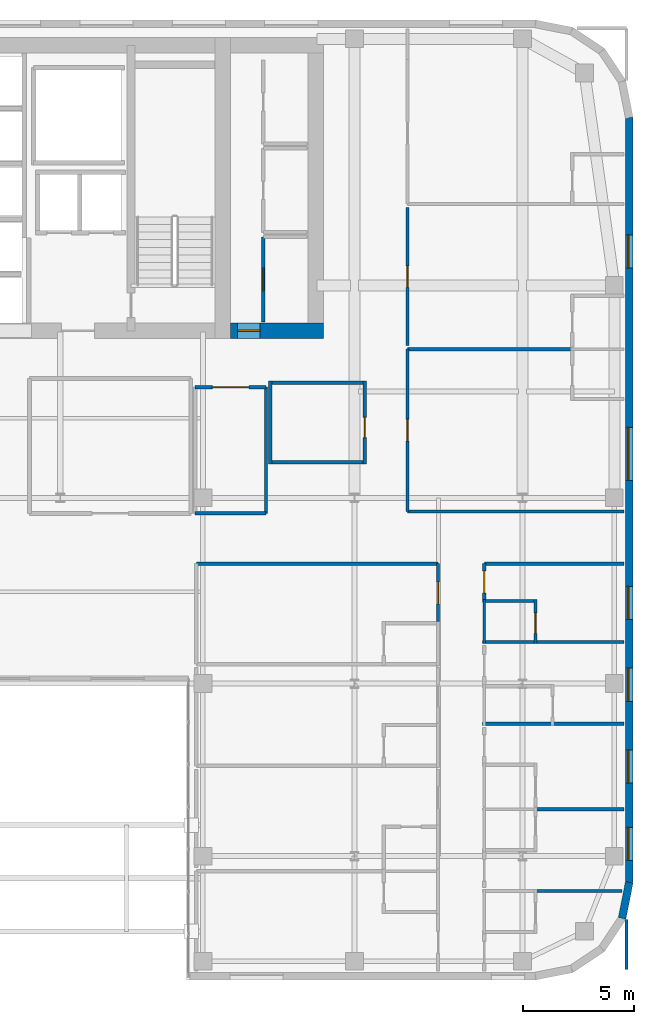
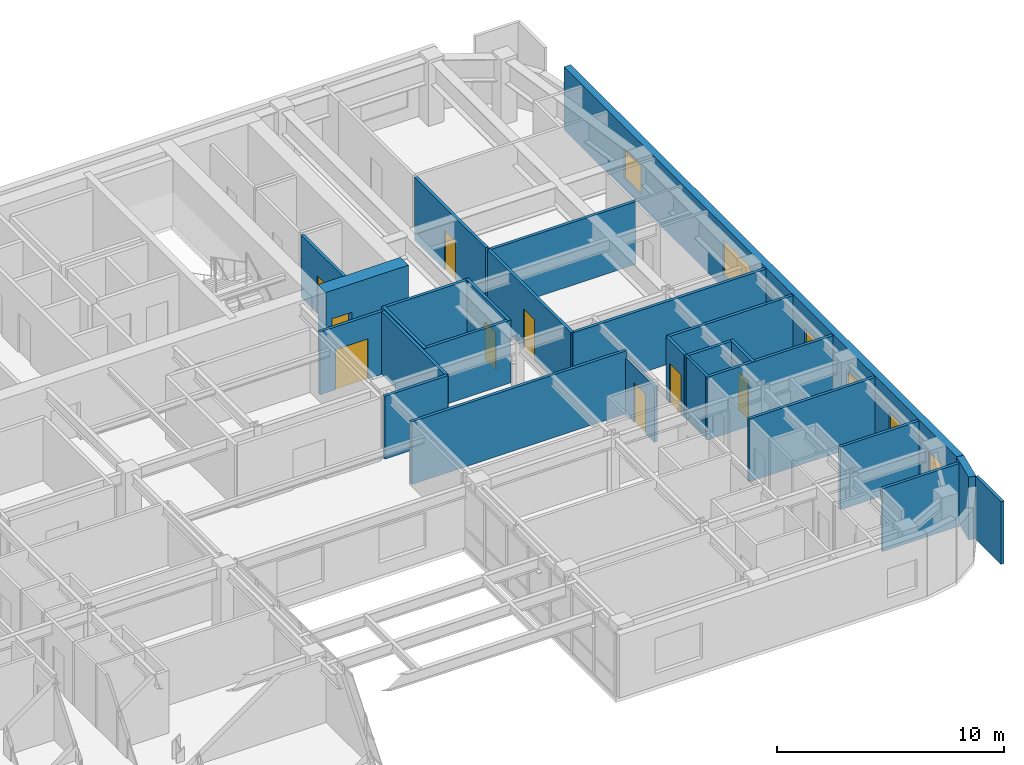
# One storey, part 11 of 15: 27 walls, 9 doors, 6 windows, 15 openings.
"""IFC4 building model written with IfcOpenShell, lengths in metres."""

from ifc_helpers import new_model, si_unit, direction, frame, frame_2d, origin, place, context, subcontext, project, spatial, rectangle, extrude, source, transform, mapped, material, layer, layer_set, type_object, type_shapes, element, fill, save


model = new_model("IFC4")

# Units and contexts
model_context = context("Model", 3, precision=1e-05, world=origin(), true_north=direction((0.0, 1.0)))
body_context = subcontext(model_context, "Body", "Model", "MODEL_VIEW")
ifc_project = project(units=[si_unit("LENGTHUNIT", "METRE"), si_unit("AREAUNIT", "SQUARE_METRE"), si_unit("VOLUMEUNIT", "CUBIC_METRE"), si_unit("PLANEANGLEUNIT", "RADIAN"), si_unit("MASSUNIT", "GRAM", prefix="KILO")], contexts=[model_context])

# Site, building, storey
site_placement = place(None, origin())
site = spatial("IfcSite", under=ifc_project, at=site_placement, CompositionType="ELEMENT")
building_placement = place(site_placement, origin())
building = spatial("IfcBuilding", under=site, at=building_placement, Name="Tolvann Quenvar Hotel", CompositionType="ELEMENT")
storey_placement = place(building_placement, frame((0.0, 0.0, 164.800048828125)))
storey = spatial("IfcBuildingStorey", under=building, at=storey_placement, Name="L43", CompositionType="ELEMENT", Elevation=164.800048828125)

# Wall, opening, door
ifc_material_1 = material(Name="Concrete S65 (65 MPa)", Category="concrete")
ifc_layer_1 = layer(ifc_material_1, 0.699951171875)
ifc_layer_set_1 = layer_set([ifc_layer_1], Name="Concrete S65 (65 MPa)")
wall_type_1 = type_object("IfcWallType", Name="WALL_CORE_700", PredefinedType="SHEAR", material=ifc_layer_set_1)
wall_1_placement = place(storey_placement, frame((36.199951171875, 31.949951171875, 0.0), z_axis=(0.0, 0.0, 1.0), x_axis=(1.0, 0.0, 0.0)))
wall_1 = element("IfcWall", 1, at=wall_1_placement, inside=storey, type_object=wall_type_1, Name="Core East Annex Shear Wall ANN-S (L43)", PredefinedType="SHEAR", context=body_context, shape_type="SweptSolid", body=[
    extrude(rectangle(XDim=4.199951171875, YDim=0.699951171875, at=frame_2d((2.10009765625, 0.0))), origin(), (0.0, 0.0, 1.0), 3.550048828125),
])
opening_1_placement = place(wall_1_placement, frame((1.340087890625, 0.0, 0.0), z_axis=(0.0, 0.0, 1.0), x_axis=(-1.0, 0.0, 0.0)))
opening_1 = element("IfcOpeningElement", 2, at=opening_1_placement, cuts=wall_1, Name="Opening HD-01", PredefinedType="OPENING", context=body_context, shape_type="SweptSolid", body=[
    extrude(rectangle(XDim=1.02001953125, YDim=2.030029296875, at=frame_2d((0.510009765625, 1.01513671875))), frame((0.0, 0.35986328125, 0.0), z_axis=(0.0, -1.0, 0.0), x_axis=(1.0, 0.0, 0.0)), (0.0, 0.0, 1.0), 0.719970703125),
])
ifc_material_2 = material(Name="Pressed galvanised steel fire-rated door set", Category="steel")
door_type_1 = type_object("IfcDoorType", Name="DOOR_BOH_1020", OperationType="NOTDEFINED", PredefinedType="DOOR", material=ifc_material_2)
shared_shape_1 = source(origin(), body_context, "Body", "SweptSolid", [
    extrude(rectangle(XDim=1.02001953125, YDim=2.030029296875, at=frame_2d((0.510009765625, 1.01513671875))), frame((0.0, 0.02490234375, 0.0), z_axis=(0.0, -1.0, 0.0), x_axis=(1.0, 0.0, 0.0)), (0.0, 0.0, 1.0), 0.050048828125),
])
type_shapes(door_type_1, [shared_shape_1])
door_1_placement = place(opening_1_placement, origin())
door_1 = element("IfcDoor", 3, at=door_1_placement, inside=storey, type_object=door_type_1, Name="Housekeeping Annex Fire Door (L43)", OperationType="SINGLE_SWING_RIGHT", OverallHeight=2.030029296875, OverallWidth=1.02001953125, PredefinedType="DOOR", context=body_context, shape_type="MappedRepresentation", body=[
    mapped(shared_shape_1, transform((0.0, 0.0, 0.0), x_axis=(1.0, 0.0, 0.0), y_axis=(0.0, 1.0, 0.0), z_axis=(0.0, 0.0, 1.0), scale=1.0)),
])
fill(opening_1, door_1)

# Wall
ifc_material_3 = material(Name="Kiln-fired red and buff architectural clay brickwork and terracotta masonry", Category="masonry")
ifc_layer_2 = layer(ifc_material_3, 0.35009765625)
ifc_layer_set_2 = layer_set([ifc_layer_2], Name="Kiln-fired red and buff architectural clay brickwork and terracotta masonry")
wall_type_2 = type_object("IfcWallType", Name="WALL_EXT_BRICK_350", PredefinedType="SOLIDWALL", material=ifc_layer_set_2)
wall_2_placement = place(storey_placement, frame((53.900390625, 5.384521484375, 0.0), z_axis=(0.0, 0.0, 1.0), x_axis=(0.195072403631, 0.980788844421, 0.0)))
element("IfcWall", 4, at=wall_2_placement, inside=storey, type_object=wall_type_2, Name="Exterior Chicago Brick Wall L43-E12", PredefinedType="SOLIDWALL", context=body_context, shape_type="SweptSolid", body=[
    extrude(rectangle(XDim=1.66455078125, YDim=0.35009765625, at=frame_2d((0.832275390625, 0.0))), origin(), (0.0, 0.0, 1.0), 3.369873046875),
])

# Wall, openings, windows
wall_3_placement = place(storey_placement, frame((54.22509765625, 7.01708984375, 0.0), z_axis=(0.0, 0.0, 1.0), x_axis=(0.0, 1.0, 0.0)))
wall_3 = element("IfcWall", 5, at=wall_3_placement, inside=storey, type_object=wall_type_2, Name="Exterior Chicago Brick Wall L43-E13", PredefinedType="SOLIDWALL", context=body_context, shape_type="SweptSolid", body=[
    extrude(rectangle(XDim=34.565673828125, YDim=0.35009765625, at=frame_2d((17.28271484375, 0.0))), origin(), (0.0, 0.0, 1.0), 3.369873046875),
])
opening_2_placement = place(wall_3_placement, frame((18.16796875, 0.0, 0.679931640625)))
opening_2 = element("IfcOpeningElement", 6, at=opening_2_placement, cuts=wall_3, Name="Opening W-01", PredefinedType="OPENING", context=body_context, shape_type="SweptSolid", body=[
    extrude(rectangle(XDim=2.39990234375, YDim=1.89990234375, at=frame_2d((1.199951171875, 0.949951171875))), frame((0.0, 0.18505859375, 0.0), z_axis=(0.0, -1.0, 0.0), x_axis=(1.0, 0.0, 0.0)), (0.0, 0.0, 1.0), 0.3701171875),
])
opening_3_placement = place(wall_3_placement, frame((0.986083984375, 0.0, 0.6201171875)))
opening_3 = element("IfcOpeningElement", 7, at=opening_3_placement, cuts=wall_3, Name="Opening W-08", PredefinedType="OPENING", context=body_context, shape_type="SweptSolid", body=[
    extrude(rectangle(XDim=1.5, YDim=1.550048828125, at=frame_2d((0.75, 0.77490234375))), frame((0.0, 0.18505859375, 0.0), z_axis=(0.0, -1.0, 0.0), x_axis=(1.0, 0.0, 0.0)), (0.0, 0.0, 1.0), 0.3701171875),
])
opening_4_placement = place(wall_3_placement, frame((4.48291015625, 0.0, 0.6201171875)))
opening_4 = element("IfcOpeningElement", 8, at=opening_4_placement, cuts=wall_3, Name="Opening W-08", PredefinedType="OPENING", context=body_context, shape_type="SweptSolid", body=[
    extrude(rectangle(XDim=1.5, YDim=1.550048828125, at=frame_2d((0.75, 0.77490234375))), frame((0.0, 0.18505859375, 0.0), z_axis=(0.0, -1.0, 0.0), x_axis=(1.0, 0.0, 0.0)), (0.0, 0.0, 1.0), 0.3701171875),
])
opening_5_placement = place(wall_3_placement, frame((8.18310546875, 0.0, 0.6201171875)))
opening_5 = element("IfcOpeningElement", 9, at=opening_5_placement, cuts=wall_3, Name="Opening W-08", PredefinedType="OPENING", context=body_context, shape_type="SweptSolid", body=[
    extrude(rectangle(XDim=1.5, YDim=1.550048828125, at=frame_2d((0.75, 0.77490234375))), frame((0.0, 0.18505859375, 0.0), z_axis=(0.0, -1.0, 0.0), x_axis=(1.0, 0.0, 0.0)), (0.0, 0.0, 1.0), 0.3701171875),
])
opening_6_placement = place(wall_3_placement, frame((11.883056640625, 0.0, 0.6201171875)))
opening_6 = element("IfcOpeningElement", 10, at=opening_6_placement, cuts=wall_3, Name="Opening W-08", PredefinedType="OPENING", context=body_context, shape_type="SweptSolid", body=[
    extrude(rectangle(XDim=1.5, YDim=1.550048828125, at=frame_2d((0.75, 0.77490234375))), frame((0.0, 0.18505859375, 0.0), z_axis=(0.0, -1.0, 0.0), x_axis=(1.0, 0.0, 0.0)), (0.0, 0.0, 1.0), 0.3701171875),
])
opening_7_placement = place(wall_3_placement, frame((27.76806640625, 0.0, 0.6201171875)))
opening_7 = element("IfcOpeningElement", 11, at=opening_7_placement, cuts=wall_3, Name="Opening W-08", PredefinedType="OPENING", context=body_context, shape_type="SweptSolid", body=[
    extrude(rectangle(XDim=1.5, YDim=1.550048828125, at=frame_2d((0.75, 0.77490234375))), frame((0.0, 0.18505859375, 0.0), z_axis=(0.0, -1.0, 0.0), x_axis=(1.0, 0.0, 0.0)), (0.0, 0.0, 1.0), 0.3701171875),
])
ifc_material_4 = material(Name="Thermally broken bronze-anodised aluminium frame with double low-E glazing", Category="aluminium")
window_type_1 = type_object("IfcWindowType", Name="WIN_COR_1500x2050", PartitioningType="SINGLE_PANEL", PredefinedType="WINDOW", material=ifc_material_4)
shared_shape_2 = source(origin(), body_context, "Body", "SweptSolid", [
    extrude(rectangle(XDim=1.5, YDim=1.550048828125, at=frame_2d((0.75, 0.77490234375))), frame((0.0, 0.090087890625, 0.0), z_axis=(0.0, -1.0, 0.0), x_axis=(1.0, 0.0, 0.0)), (0.0, 0.0, 1.0), 0.06005859375),
])
type_shapes(window_type_1, [shared_shape_2])
window_1_placement = place(opening_3_placement, origin())
window_1 = element("IfcWindow", 12, at=window_1_placement, inside=storey, type_object=window_type_1, Name="Chicago Window W-08 (EW-L43-E13-WD02)", OverallHeight=1.550048828125, OverallWidth=1.5, PartitioningType="SINGLE_PANEL", PredefinedType="WINDOW", context=body_context, shape_type="MappedRepresentation", body=[
    mapped(shared_shape_2, transform((0.0, 0.0, 0.0), x_axis=(1.0, 0.0, 0.0), y_axis=(0.0, 1.0, 0.0), z_axis=(0.0, 0.0, 1.0), scale=1.0)),
])
fill(opening_3, window_1)
window_2_placement = place(opening_4_placement, origin())
window_2 = element("IfcWindow", 13, at=window_2_placement, inside=storey, type_object=window_type_1, Name="Chicago Window W-08 (EW-L43-E13-WD03)", OverallHeight=1.550048828125, OverallWidth=1.5, PartitioningType="SINGLE_PANEL", PredefinedType="WINDOW", context=body_context, shape_type="MappedRepresentation", body=[
    mapped(shared_shape_2, transform((0.0, 0.0, 0.0), x_axis=(1.0, 0.0, 0.0), y_axis=(0.0, 1.0, 0.0), z_axis=(0.0, 0.0, 1.0), scale=1.0)),
])
fill(opening_4, window_2)
window_3_placement = place(opening_5_placement, origin())
window_3 = element("IfcWindow", 14, at=window_3_placement, inside=storey, type_object=window_type_1, Name="Chicago Window W-08 (EW-L43-E13-WD04)", OverallHeight=1.550048828125, OverallWidth=1.5, PartitioningType="SINGLE_PANEL", PredefinedType="WINDOW", context=body_context, shape_type="MappedRepresentation", body=[
    mapped(shared_shape_2, transform((0.0, 0.0, 0.0), x_axis=(1.0, 0.0, 0.0), y_axis=(0.0, 1.0, 0.0), z_axis=(0.0, 0.0, 1.0), scale=1.0)),
])
fill(opening_5, window_3)
window_4_placement = place(opening_6_placement, origin())
window_4 = element("IfcWindow", 15, at=window_4_placement, inside=storey, type_object=window_type_1, Name="Chicago Window W-08 (EW-L43-E13-WD05)", OverallHeight=1.550048828125, OverallWidth=1.5, PartitioningType="SINGLE_PANEL", PredefinedType="WINDOW", context=body_context, shape_type="MappedRepresentation", body=[
    mapped(shared_shape_2, transform((0.0, 0.0, 0.0), x_axis=(1.0, 0.0, 0.0), y_axis=(0.0, 1.0, 0.0), z_axis=(0.0, 0.0, 1.0), scale=1.0)),
])
fill(opening_6, window_4)
window_5_placement = place(opening_7_placement, origin())
window_5 = element("IfcWindow", 16, at=window_5_placement, inside=storey, type_object=window_type_1, Name="Chicago Window W-08 (EW-L43-E13-WD06)", OverallHeight=1.550048828125, OverallWidth=1.5, PartitioningType="SINGLE_PANEL", PredefinedType="WINDOW", context=body_context, shape_type="MappedRepresentation", body=[
    mapped(shared_shape_2, transform((0.0, 0.0, 0.0), x_axis=(1.0, 0.0, 0.0), y_axis=(0.0, 1.0, 0.0), z_axis=(0.0, 0.0, 1.0), scale=1.0)),
])
fill(opening_7, window_5)
window_type_2 = type_object("IfcWindowType", Name="WIN_CHI_2400x2050", PartitioningType="TRIPLE_PANEL_HORIZONTAL", PredefinedType="WINDOW", material=ifc_material_4)
shared_shape_3 = source(origin(), body_context, "Body", "SweptSolid", [
    extrude(rectangle(XDim=2.39990234375, YDim=1.89990234375, at=frame_2d((1.199951171875, 0.949951171875))), frame((0.0, 0.090087890625, 0.0), z_axis=(0.0, -1.0, 0.0), x_axis=(1.0, 0.0, 0.0)), (0.0, 0.0, 1.0), 0.06005859375),
])
type_shapes(window_type_2, [shared_shape_3])
window_6_placement = place(opening_2_placement, origin())
window_6 = element("IfcWindow", 17, at=window_6_placement, inside=storey, type_object=window_type_2, Name="Chicago Window W-01 (EW-L43-E13-W01)", OverallHeight=1.89990234375, OverallWidth=2.39990234375, PartitioningType="TRIPLE_PANEL_HORIZONTAL", PredefinedType="WINDOW", context=body_context, shape_type="MappedRepresentation", body=[
    mapped(shared_shape_3, transform((0.0, 0.0, 0.0), x_axis=(1.0, 0.0, 0.0), y_axis=(0.0, 1.0, 0.0), z_axis=(0.0, 0.0, 1.0), scale=1.0)),
])
fill(opening_2, window_6)

# Walls
ifc_material_5 = material(Name="Moisture-resistant acoustic plumbing wall assembly")
ifc_layer_3 = layer(ifc_material_5, 0.1201171875)
ifc_layer_set_3 = layer_set([ifc_layer_3], Name="Moisture-resistant acoustic plumbing wall assembly")
wall_type_3 = type_object("IfcWallType", Name="WALL_PART_BATH_120", PredefinedType="PLUMBINGWALL", material=ifc_layer_set_3)
wall_4_placement = place(storey_placement, frame((47.669921875, 17.81005859375, 0.0), z_axis=(0.0, 0.0, 1.0), x_axis=(0.0, 1.0, 0.0)))
element("IfcWall", 18, at=wall_4_placement, inside=storey, type_object=wall_type_3, Name="Non-Rated Plumbing Partition PT-SPC-L43-ENS-EO05-W", PredefinedType="PLUMBINGWALL", context=body_context, shape_type="SweptSolid", body=[
    extrude(rectangle(XDim=1.989990234375, YDim=0.1201171875, at=frame_2d((0.9951171875, 0.0))), origin(), (0.0, 0.0, 1.0), 3.369873046875),
])
ifc_material_6 = material(Name="Acoustic twin-stud fire-rated gypsum plasterboard partition")
ifc_layer_4 = layer(ifc_material_6, 0.14990234375)
ifc_layer_set_4 = layer_set([ifc_layer_4], Name="Acoustic twin-stud fire-rated gypsum plasterboard partition")
wall_type_4 = type_object("IfcWallType", Name="WALL_PART_SUITE_150", PredefinedType="PARTITIONING", material=ifc_layer_set_4)
wall_5_placement = place(storey_placement, frame((47.60009765625, 14.179931640625, 0.0), z_axis=(0.0, 0.0, 1.0), x_axis=(1.0, 0.0, 0.0)))
element("IfcWall", 19, at=wall_5_placement, inside=storey, type_object=wall_type_4, Name="Interior Partition PT-SPC-L43-ENS-EO04-S", PredefinedType="PARTITIONING", context=body_context, shape_type="SweptSolid", body=[
    extrude(rectangle(XDim=6.39501953125, YDim=0.14990234375, at=frame_2d((3.197509765625, 0.0))), origin(), (0.0, 0.0, 1.0), 3.369873046875),
])

# Wall, opening, door
wall_6_placement = place(storey_placement, frame((49.985107421875, 17.81005859375, 0.0), z_axis=(0.0, 0.0, 1.0), x_axis=(0.0, 1.0, 0.0)))
wall_6 = element("IfcWall", 20, at=wall_6_placement, inside=storey, type_object=wall_type_4, Name="Interior Partition PT-SPC-L43-ENS-EO05-ENT", PredefinedType="PARTITIONING", context=body_context, shape_type="SweptSolid", body=[
    extrude(rectangle(XDim=1.989990234375, YDim=0.14990234375, at=frame_2d((0.9951171875, 0.0))), origin(), (0.0, 0.0, 1.0), 3.369873046875),
])
opening_8_placement = place(wall_6_placement, frame((0.465087890625, 0.0, 0.0)))
opening_8 = element("IfcOpeningElement", 21, at=opening_8_placement, cuts=wall_6, Name="Opening WD-01", PredefinedType="OPENING", context=body_context, shape_type="SweptSolid", body=[
    extrude(rectangle(XDim=0.919921875, YDim=2.010009765625, at=frame_2d((0.4599609375, 1.0048828125))), frame((0.0, 0.0849609375, 0.0), z_axis=(0.0, -1.0, 0.0), x_axis=(1.0, 0.0, 0.0)), (0.0, 0.0, 1.0), 0.169921875),
])
ifc_material_7 = material(Name="Solid-core American oak acoustic fire door leaf in steel frame", Category="steel")
door_type_2 = type_object("IfcDoorType", Name="DOOR_WC_920", OperationType="NOTDEFINED", PredefinedType="DOOR", material=ifc_material_7)
shared_shape_4 = source(origin(), body_context, "Body", "SweptSolid", [
    extrude(rectangle(XDim=0.919921875, YDim=2.010009765625, at=frame_2d((0.4599609375, 1.0048828125))), frame((0.0, 0.02490234375, 0.0), z_axis=(0.0, -1.0, 0.0), x_axis=(1.0, 0.0, 0.0)), (0.0, 0.0, 1.0), 0.050048828125),
])
type_shapes(door_type_2, [shared_shape_4])
door_2_placement = place(opening_8_placement, origin())
door_2 = element("IfcDoor", 22, at=door_2_placement, inside=storey, type_object=door_type_2, Name="Interior Door DOOR-SPC-L43-ENS-EO05", OperationType="SINGLE_SWING_RIGHT", OverallHeight=2.010009765625, OverallWidth=0.919921875, PredefinedType="DOOR", context=body_context, shape_type="MappedRepresentation", body=[
    mapped(shared_shape_4, transform((0.0, 0.0, 0.0), x_axis=(1.0, 0.0, 0.0), y_axis=(0.0, 1.0, 0.0), z_axis=(0.0, 0.0, 1.0), scale=1.0)),
])
fill(opening_8, door_2)

# Walls
wall_7_placement = place(storey_placement, frame((47.60009765625, 17.8798828125, 0.0), z_axis=(0.0, 0.0, 1.0), x_axis=(1.0, 0.0, 0.0)))
element("IfcWall", 23, at=wall_7_placement, inside=storey, type_object=wall_type_4, Name="Interior Partition PT-SPC-L43-ENS-EO05-S", PredefinedType="PARTITIONING", context=body_context, shape_type="SweptSolid", body=[
    extrude(rectangle(XDim=6.39501953125, YDim=0.14990234375, at=frame_2d((3.197509765625, 0.0))), origin(), (0.0, 0.0, 1.0), 3.369873046875),
])
wall_8_placement = place(storey_placement, frame((47.60009765625, 19.72998046875, 0.0), z_axis=(0.0, 0.0, 1.0), x_axis=(1.0, 0.0, 0.0)))
element("IfcWall", 24, at=wall_8_placement, inside=storey, type_object=wall_type_4, Name="Interior Partition PT-SPC-L43-ENS-EO05-N", PredefinedType="PARTITIONING", context=body_context, shape_type="SweptSolid", body=[
    extrude(rectangle(XDim=2.454833984375, YDim=0.14990234375, at=frame_2d((1.2275390625, 0.0))), origin(), (0.0, 0.0, 1.0), 3.369873046875),
])

# Wall, opening, door
wall_9_placement = place(storey_placement, frame((37.679931640625, 32.35498046875, 0.0), z_axis=(0.0, 0.0, 1.0), x_axis=(0.0, 1.0, 0.0)))
wall_9 = element("IfcWall", 25, at=wall_9_placement, inside=storey, type_object=wall_type_4, Name="Interior Partition PT-SPC-L43-RECPL-1-W", PredefinedType="PARTITIONING", context=body_context, shape_type="SweptSolid", body=[
    extrude(rectangle(XDim=3.844970703125, YDim=0.14990234375, at=frame_2d((1.92236328125, 0.0))), origin(), (0.0, 0.0, 1.0), 3.369873046875),
])
opening_9_placement = place(wall_9_placement, frame((1.41259765625, 0.0, 0.0)))
opening_9 = element("IfcOpeningElement", 26, at=opening_9_placement, cuts=wall_9, Name="Opening HD-01", PredefinedType="OPENING", context=body_context, shape_type="SweptSolid", body=[
    extrude(rectangle(XDim=1.02001953125, YDim=2.030029296875, at=frame_2d((0.510009765625, 1.01513671875))), frame((0.0, 0.0849609375, 0.0), z_axis=(0.0, -1.0, 0.0), x_axis=(1.0, 0.0, 0.0)), (0.0, 0.0, 1.0), 0.169921875),
])
door_3_placement = place(opening_9_placement, origin())
door_3 = element("IfcDoor", 27, at=door_3_placement, inside=storey, type_object=door_type_1, Name="Interior Door DOOR-SPC-L43-RECPL-1", OperationType="SINGLE_SWING_RIGHT", OverallHeight=2.030029296875, OverallWidth=1.02001953125, PredefinedType="DOOR", context=body_context, shape_type="MappedRepresentation", body=[
    mapped(shared_shape_1, transform((0.0, 0.0, 0.0), x_axis=(1.0, 0.0, 0.0), y_axis=(0.0, 1.0, 0.0), z_axis=(0.0, 0.0, 1.0), scale=1.0)),
])
fill(opening_9, door_3)

wall_10_placement = place(storey_placement, frame((45.580078125, 18.81005859375, 0.0), z_axis=(0.0, 0.0, 1.0), x_axis=(0.0, 1.0, 0.0)))
wall_10 = element("IfcWall", 28, at=wall_10_placement, inside=storey, type_object=wall_type_4, Name="Interior Partition PT-SPC-L43-RM-EI04-ENT", PredefinedType="PARTITIONING", context=body_context, shape_type="SweptSolid", body=[
    extrude(rectangle(XDim=2.60986328125, YDim=0.14990234375, at=frame_2d((1.304931640625, 0.0))), origin(), (0.0, 0.0, 1.0), 3.0009765625),
])
opening_10_placement = place(wall_10_placement, frame((0.794921875, 0.0, 0.0)))
opening_10 = element("IfcOpeningElement", 29, at=opening_10_placement, cuts=wall_10, Name="Opening SD-01", PredefinedType="OPENING", context=body_context, shape_type="SweptSolid", body=[
    extrude(rectangle(XDim=0.97998046875, YDim=2.1201171875, at=frame_2d((0.489990234375, 1.06005859375))), frame((0.0, 0.0849609375, 0.0), z_axis=(0.0, -1.0, 0.0), x_axis=(1.0, 0.0, 0.0)), (0.0, 0.0, 1.0), 0.169921875),
])
door_type_3 = type_object("IfcDoorType", Name="DOOR_SUITE_980", OperationType="NOTDEFINED", PredefinedType="DOOR", material=ifc_material_7)
shared_shape_5 = source(origin(), body_context, "Body", "SweptSolid", [
    extrude(rectangle(XDim=0.97998046875, YDim=2.1201171875, at=frame_2d((0.489990234375, 1.06005859375))), frame((0.0, 0.02490234375, 0.0), z_axis=(0.0, -1.0, 0.0), x_axis=(1.0, 0.0, 0.0)), (0.0, 0.0, 1.0), 0.050048828125),
])
type_shapes(door_type_3, [shared_shape_5])
door_4_placement = place(opening_10_placement, origin())
door_4 = element("IfcDoor", 30, at=door_4_placement, inside=storey, type_object=door_type_3, Name="Interior Door DOOR-SPC-L43-RM-EI04", OperationType="SINGLE_SWING_LEFT", OverallHeight=2.1201171875, OverallWidth=0.97998046875, PredefinedType="DOOR", context=body_context, shape_type="MappedRepresentation", body=[
    mapped(shared_shape_5, transform((0.0, 0.0, 0.0), x_axis=(1.0, 0.0, 0.0), y_axis=(0.0, 1.0, 0.0), z_axis=(0.0, 0.0, 1.0), scale=1.0)),
])
fill(opening_10, door_4)

# Walls
wall_11_placement = place(storey_placement, frame((34.64990234375, 21.419921875, 0.0), z_axis=(0.0, 0.0, 1.0), x_axis=(1.0, 0.0, 0.0)))
element("IfcWall", 31, at=wall_11_placement, inside=storey, type_object=wall_type_4, Name="Interior Partition PT-SPC-L43-RM-EI04-E5", PredefinedType="PARTITIONING", context=body_context, shape_type="SweptSolid", body=[
    extrude(rectangle(XDim=10.93017578125, YDim=0.14990234375, at=frame_2d((5.465087890625, 0.0))), origin(), (0.0, 0.0, 1.0), 3.369873046875),
])
wall_12_placement = place(storey_placement, frame((54.10009765625, 3.080078125, 0.0), z_axis=(0.0, 0.0, 1.0), x_axis=(0.0, 1.0, 0.0)))
element("IfcWall", 32, at=wall_12_placement, inside=storey, type_object=wall_type_4, Name="Interior Partition PT-SPC-L43-RM-EO01-E2", PredefinedType="PARTITIONING", context=body_context, shape_type="SweptSolid", body=[
    extrude(rectangle(XDim=2.264892578125, YDim=0.14990234375, at=frame_2d((1.13232421875, 0.0))), origin(), (0.0, 0.0, 1.0), 3.369873046875),
])
wall_13_placement = place(storey_placement, frame((50.0048828125, 6.6201171875, 0.0), z_axis=(0.0, 0.0, 1.0), x_axis=(1.0, 0.0, 0.0)))
element("IfcWall", 33, at=wall_13_placement, inside=storey, type_object=wall_type_4, Name="Interior Partition PT-SPC-L43-RM-EO01-E3", PredefinedType="PARTITIONING", context=body_context, shape_type="SweptSolid", body=[
    extrude(rectangle(XDim=3.883056640625, YDim=0.14990234375, at=frame_2d((1.94140625, 0.0))), origin(), (0.0, 0.0, 1.0), 3.369873046875),
])
wall_14_placement = place(storey_placement, frame((50.0048828125, 10.320068359375, 0.0), z_axis=(0.0, 0.0, 1.0), x_axis=(1.0, 0.0, 0.0)))
element("IfcWall", 34, at=wall_14_placement, inside=storey, type_object=wall_type_4, Name="Interior Partition PT-SPC-L43-RM-EO02-E3", PredefinedType="PARTITIONING", context=body_context, shape_type="SweptSolid", body=[
    extrude(rectangle(XDim=3.990234375, YDim=0.14990234375, at=frame_2d((1.9951171875, 0.0))), origin(), (0.0, 0.0, 1.0), 3.369873046875),
])

# Wall, opening, door
wall_15_placement = place(storey_placement, frame((47.669921875, 19.81005859375, 0.0), z_axis=(0.0, 0.0, 1.0), x_axis=(0.0, 1.0, 0.0)))
wall_15 = element("IfcWall", 35, at=wall_15_placement, inside=storey, type_object=wall_type_4, Name="Interior Partition PT-SPC-L43-RM-EO05-ENT", PredefinedType="PARTITIONING", context=body_context, shape_type="SweptSolid", body=[
    extrude(rectangle(XDim=1.60986328125, YDim=0.14990234375, at=frame_2d((0.804931640625, 0.0))), origin(), (0.0, 0.0, 1.0), 3.369873046875),
])
opening_11_placement = place(wall_15_placement, frame((0.294921875, 0.0, 0.0)))
opening_11 = element("IfcOpeningElement", 36, at=opening_11_placement, cuts=wall_15, Name="Opening SD-01", PredefinedType="OPENING", context=body_context, shape_type="SweptSolid", body=[
    extrude(rectangle(XDim=0.97998046875, YDim=2.1201171875, at=frame_2d((0.489990234375, 1.06005859375))), frame((0.0, 0.0849609375, 0.0), z_axis=(0.0, -1.0, 0.0), x_axis=(1.0, 0.0, 0.0)), (0.0, 0.0, 1.0), 0.169921875),
])
door_5_placement = place(opening_11_placement, origin())
door_5 = element("IfcDoor", 37, at=door_5_placement, inside=storey, type_object=door_type_3, Name="Interior Door DOOR-SPC-L43-RM-EO05", OperationType="SINGLE_SWING_RIGHT", OverallHeight=2.1201171875, OverallWidth=0.97998046875, PredefinedType="DOOR", context=body_context, shape_type="MappedRepresentation", body=[
    mapped(shared_shape_5, transform((0.0, 0.0, 0.0), x_axis=(1.0, 0.0, 0.0), y_axis=(0.0, 1.0, 0.0), z_axis=(0.0, 0.0, 1.0), scale=1.0)),
])
fill(opening_11, door_5)

# Wall
wall_16_placement = place(storey_placement, frame((47.669921875, 21.419921875, 0.0), z_axis=(0.0, 0.0, 1.0), x_axis=(1.0, 0.0, 0.0)))
element("IfcWall", 38, at=wall_16_placement, inside=storey, type_object=wall_type_4, Name="Interior Partition PT-SPC-L43-RM-EO05-E5", PredefinedType="PARTITIONING", context=body_context, shape_type="SweptSolid", body=[
    extrude(rectangle(XDim=6.3251953125, YDim=0.14990234375, at=frame_2d((3.16259765625, 0.0))), origin(), (0.0, 0.0, 1.0), 3.369873046875),
])

# Wall, opening, door
wall_17_placement = place(storey_placement, frame((44.199951171875, 23.780029296875, 0.0), z_axis=(0.0, 0.0, 1.0), x_axis=(0.0, 1.0, 0.0)))
wall_17 = element("IfcWall", 39, at=wall_17_placement, inside=storey, type_object=wall_type_4, Name="Interior Partition PT-SPC-L43-RM-NE01-ENT", PredefinedType="PARTITIONING", context=body_context, shape_type="SweptSolid", body=[
    extrude(rectangle(XDim=7.340087890625, YDim=0.14990234375, at=frame_2d((3.669921875, 0.0))), origin(), (0.0, 0.0, 1.0), 3.369873046875),
])
opening_12_placement = place(wall_17_placement, frame((3.179931640625, 0.0, 0.0)))
opening_12 = element("IfcOpeningElement", 40, at=opening_12_placement, cuts=wall_17, Name="Opening SD-01", PredefinedType="OPENING", context=body_context, shape_type="SweptSolid", body=[
    extrude(rectangle(XDim=0.97998046875, YDim=2.1201171875, at=frame_2d((0.489990234375, 1.06005859375))), frame((0.0, 0.0849609375, 0.0), z_axis=(0.0, -1.0, 0.0), x_axis=(1.0, 0.0, 0.0)), (0.0, 0.0, 1.0), 0.169921875),
])
door_6_placement = place(opening_12_placement, origin())
door_6 = element("IfcDoor", 41, at=door_6_placement, inside=storey, type_object=door_type_3, Name="Interior Door DOOR-SPC-L43-RM-NE01", OperationType="SINGLE_SWING_LEFT", OverallHeight=2.1201171875, OverallWidth=0.97998046875, PredefinedType="DOOR", context=body_context, shape_type="MappedRepresentation", body=[
    mapped(shared_shape_5, transform((0.0, 0.0, 0.0), x_axis=(1.0, 0.0, 0.0), y_axis=(0.0, 1.0, 0.0), z_axis=(0.0, 0.0, 1.0), scale=1.0)),
])
fill(opening_12, door_6)

# Walls
wall_18_placement = place(storey_placement, frame((44.199951171875, 23.780029296875, 0.0), z_axis=(0.0, 0.0, 1.0), x_axis=(1.0, 0.0, 0.0)))
element("IfcWall", 42, at=wall_18_placement, inside=storey, type_object=wall_type_4, Name="Interior Partition PT-SPC-L43-RM-NE01-E1", PredefinedType="PARTITIONING", context=body_context, shape_type="SweptSolid", body=[
    extrude(rectangle(XDim=9.795166015625, YDim=0.14990234375, at=frame_2d((4.8974609375, 0.0))), origin(), (0.0, 0.0, 1.0), 3.369873046875),
])
wall_19_placement = place(storey_placement, frame((44.199951171875, 31.1201171875, 0.0), z_axis=(0.0, 0.0, 1.0), x_axis=(1.0, 0.0, 0.0)))
element("IfcWall", 43, at=wall_19_placement, inside=storey, type_object=wall_type_4, Name="Interior Partition PT-SPC-L43-RM-NE01-E5", PredefinedType="PARTITIONING", context=body_context, shape_type="SweptSolid", body=[
    extrude(rectangle(XDim=7.429931640625, YDim=0.14990234375, at=frame_2d((3.71484375, 0.0))), origin(), (0.0, 0.0, 1.0), 3.369873046875),
])

# Wall, opening, door
wall_20_placement = place(storey_placement, frame((44.199951171875, 31.280029296875, 0.0), z_axis=(0.0, 0.0, 1.0), x_axis=(0.0, 1.0, 0.0)))
wall_20 = element("IfcWall", 44, at=wall_20_placement, inside=storey, type_object=wall_type_4, Name="Interior Partition PT-SPC-L43-RM-NE02-ENT", PredefinedType="PARTITIONING", context=body_context, shape_type="SweptSolid", body=[
    extrude(rectangle(XDim=6.239990234375, YDim=0.14990234375, at=frame_2d((3.1201171875, 0.0))), origin(), (0.0, 0.0, 1.0), 3.369873046875),
])
opening_13_placement = place(wall_20_placement, frame((2.6298828125, 0.0, 0.0)))
opening_13 = element("IfcOpeningElement", 45, at=opening_13_placement, cuts=wall_20, Name="Opening SD-01", PredefinedType="OPENING", context=body_context, shape_type="SweptSolid", body=[
    extrude(rectangle(XDim=0.97998046875, YDim=2.1201171875, at=frame_2d((0.489990234375, 1.06005859375))), frame((0.0, 0.0849609375, 0.0), z_axis=(0.0, -1.0, 0.0), x_axis=(1.0, 0.0, 0.0)), (0.0, 0.0, 1.0), 0.169921875),
])
door_7_placement = place(opening_13_placement, origin())
door_7 = element("IfcDoor", 46, at=door_7_placement, inside=storey, type_object=door_type_3, Name="Interior Door DOOR-SPC-L43-RM-NE02", OperationType="SINGLE_SWING_RIGHT", OverallHeight=2.1201171875, OverallWidth=0.97998046875, PredefinedType="DOOR", context=body_context, shape_type="MappedRepresentation", body=[
    mapped(shared_shape_5, transform((0.0, 0.0, 0.0), x_axis=(1.0, 0.0, 0.0), y_axis=(0.0, 1.0, 0.0), z_axis=(0.0, 0.0, 1.0), scale=1.0)),
])
fill(opening_13, door_7)

wall_21_placement = place(storey_placement, frame((42.260009765625, 25.929931640625, 0.0), z_axis=(0.0, 0.0, 1.0), x_axis=(0.0, 1.0, 0.0)))
wall_21 = element("IfcWall", 47, at=wall_21_placement, inside=storey, type_object=wall_type_4, Name="Interior Partition PT-SPC-L43-WCA-ENT", PredefinedType="PARTITIONING", context=body_context, shape_type="SweptSolid", body=[
    extrude(rectangle(XDim=3.739990234375, YDim=0.14990234375, at=frame_2d((1.8701171875, 0.0))), origin(), (0.0, 0.0, 1.0), 3.369873046875),
])
opening_14_placement = place(wall_21_placement, frame((1.18994140625, 0.0, 0.0)))
opening_14 = element("IfcOpeningElement", 48, at=opening_14_placement, cuts=wall_21, Name="Opening WD-01", PredefinedType="OPENING", context=body_context, shape_type="SweptSolid", body=[
    extrude(rectangle(XDim=0.919921875, YDim=2.010009765625, at=frame_2d((0.4599609375, 1.0048828125))), frame((0.0, 0.0849609375, 0.0), z_axis=(0.0, -1.0, 0.0), x_axis=(1.0, 0.0, 0.0)), (0.0, 0.0, 1.0), 0.169921875),
])
door_8_placement = place(opening_14_placement, origin())
door_8 = element("IfcDoor", 49, at=door_8_placement, inside=storey, type_object=door_type_2, Name="Interior Door DOOR-SPC-L43-WCA", OperationType="SINGLE_SWING_RIGHT", OverallHeight=2.010009765625, OverallWidth=0.919921875, PredefinedType="DOOR", context=body_context, shape_type="MappedRepresentation", body=[
    mapped(shared_shape_4, transform((0.0, 0.0, 0.0), x_axis=(1.0, 0.0, 0.0), y_axis=(0.0, 1.0, 0.0), z_axis=(0.0, 0.0, 1.0), scale=1.0)),
])
fill(opening_14, door_8)

# Walls
for number, where, z_axis, x_axis, name in (
    (50, (37.929931640625, 26.0, 0.0), (0.0, 0.0, 1.0), (1.0, 0.0, 0.0), "Interior Partition PT-SPC-L43-WCA-S"),
    (51, (37.929931640625, 29.60009765625, 0.0), (0.0, 0.0, 1.0), (1.0, 0.0, 0.0), "Interior Partition PT-SPC-L43-WCA-N"),
):
    element("IfcWall", number, at=place(storey_placement, frame(where, z_axis=z_axis, x_axis=x_axis)), inside=storey, type_object=wall_type_4, Name=name, PredefinedType="PARTITIONING", context=body_context, shape_type="SweptSolid", body=[
        extrude(rectangle(XDim=4.400146484375, YDim=0.14990234375, at=frame_2d((2.2001953125, 0.0))), origin(), (0.0, 0.0, 1.0), 3.369873046875),
    ])
wall_22_placement = place(storey_placement, frame((38.0, 25.929931640625, 0.0), z_axis=(0.0, 0.0, 1.0), x_axis=(0.0, 1.0, 0.0)))
element("IfcWall", 52, at=wall_22_placement, inside=storey, type_object=wall_type_4, Name="Interior Partition PT-SPC-L43-WCA-W", PredefinedType="PARTITIONING", context=body_context, shape_type="SweptSolid", body=[
    extrude(rectangle(XDim=3.739990234375, YDim=0.14990234375, at=frame_2d((1.8701171875, 0.0))), origin(), (0.0, 0.0, 1.0), 3.369873046875),
])
wall_23_placement = place(storey_placement, frame((34.60009765625, 23.699951171875, 0.0), z_axis=(0.0, 0.0, 1.0), x_axis=(1.0, 0.0, 0.0)))
element("IfcWall", 53, at=wall_23_placement, inside=storey, type_object=wall_type_4, Name="Interior Partition PT-SPC-L43-MSP-E-S", PredefinedType="PARTITIONING", context=body_context, shape_type="SweptSolid", body=[
    extrude(rectangle(XDim=3.199951171875, YDim=0.14990234375, at=frame_2d((1.60009765625, 0.0))), origin(), (0.0, 0.0, 1.0), 3.369873046875),
])

# Wall, opening, door
wall_24_placement = place(storey_placement, frame((34.60009765625, 29.39990234375, 0.0), z_axis=(0.0, 0.0, 1.0), x_axis=(1.0, 0.0, 0.0)))
wall_24 = element("IfcWall", 54, at=wall_24_placement, inside=storey, type_object=wall_type_4, Name="Interior Partition PT-SPC-L43-MSP-E-N", PredefinedType="PARTITIONING", context=body_context, shape_type="SweptSolid", body=[
    extrude(rectangle(XDim=3.199951171875, YDim=0.14990234375, at=frame_2d((1.60009765625, 0.0))), origin(), (0.0, 0.0, 1.0), 3.369873046875),
])
opening_15_placement = place(wall_24_placement, frame((0.77490234375, 0.0, 0.0)))
opening_15 = element("IfcOpeningElement", 55, at=opening_15_placement, cuts=wall_24, Name="Opening AD-01", PredefinedType="OPENING", context=body_context, shape_type="SweptSolid", body=[
    extrude(rectangle(XDim=1.64990234375, YDim=2.14990234375, at=frame_2d((0.824951171875, 1.074951171875))), frame((0.0, 0.0849609375, 0.0), z_axis=(0.0, -1.0, 0.0), x_axis=(1.0, 0.0, 0.0)), (0.0, 0.0, 1.0), 0.169921875),
])
door_type_4 = type_object("IfcDoorType", Name="DOOR_SALON_1650", OperationType="NOTDEFINED", PredefinedType="DOOR", material=ifc_material_7)
shared_shape_6 = source(origin(), body_context, "Body", "SweptSolid", [
    extrude(rectangle(XDim=1.64990234375, YDim=2.14990234375, at=frame_2d((0.824951171875, 1.074951171875))), frame((0.0, 0.02490234375, 0.0), z_axis=(0.0, -1.0, 0.0), x_axis=(1.0, 0.0, 0.0)), (0.0, 0.0, 1.0), 0.050048828125),
])
type_shapes(door_type_4, [shared_shape_6])
door_9_placement = place(opening_15_placement, origin())
door_9 = element("IfcDoor", 56, at=door_9_placement, inside=storey, type_object=door_type_4, Name="Interior Door DOOR-SPC-L43-MSP-E", OperationType="DOUBLE_DOOR_SINGLE_SWING", OverallHeight=2.14990234375, OverallWidth=1.64990234375, PredefinedType="DOOR", context=body_context, shape_type="MappedRepresentation", body=[
    mapped(shared_shape_6, transform((0.0, 0.0, 0.0), x_axis=(1.0, 0.0, 0.0), y_axis=(0.0, 1.0, 0.0), z_axis=(0.0, 0.0, 1.0), scale=1.0)),
])
fill(opening_15, door_9)

# Wall
wall_25_placement = place(storey_placement, frame((37.800048828125, 23.699951171875, 0.0), z_axis=(0.0, 0.0, 1.0), x_axis=(0.0, 1.0, 0.0)))
element("IfcWall", 57, at=wall_25_placement, inside=storey, type_object=wall_type_4, Name="Interior Partition PT-SPC-L43-MSP-E-E", PredefinedType="PARTITIONING", context=body_context, shape_type="SweptSolid", body=[
    extrude(rectangle(XDim=5.699951171875, YDim=0.14990234375, at=frame_2d((2.85009765625, 0.0))), origin(), (0.0, 0.0, 1.0), 3.369873046875),
])

save(model, "model.ifc")
